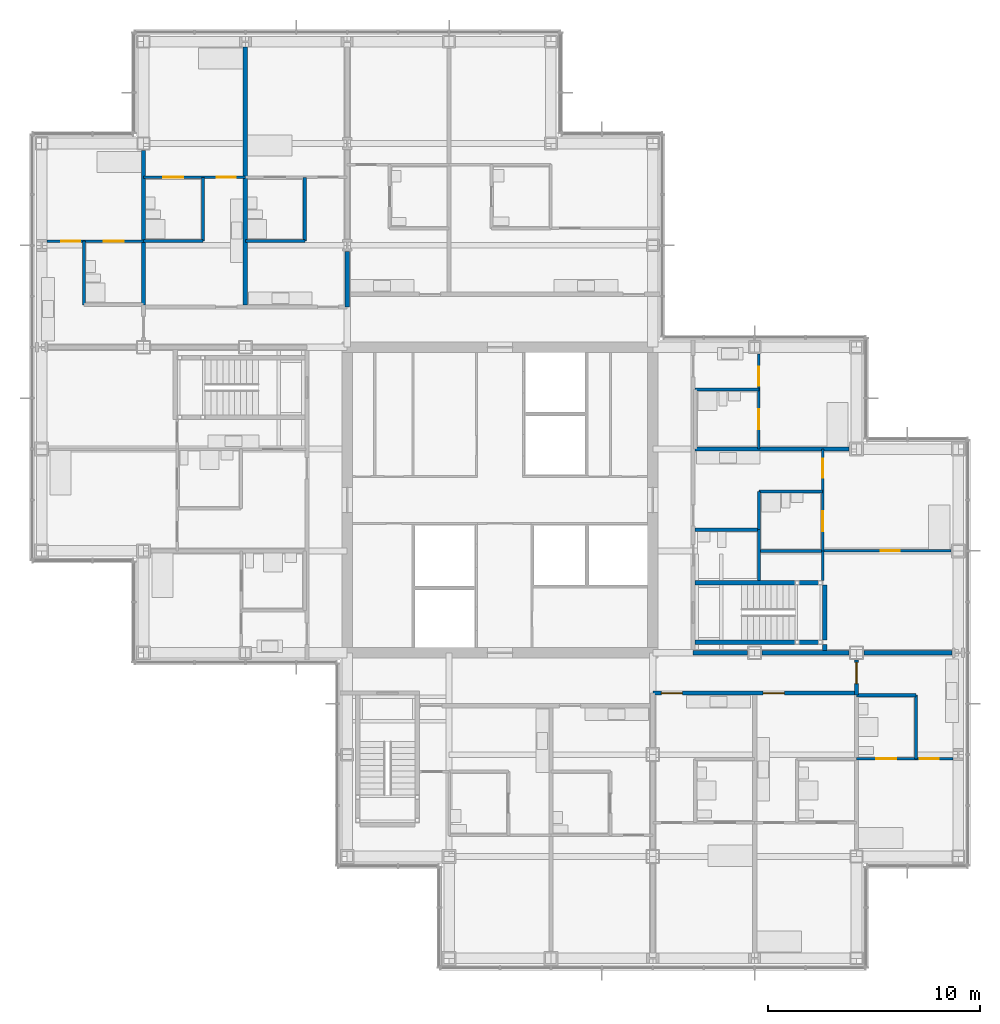
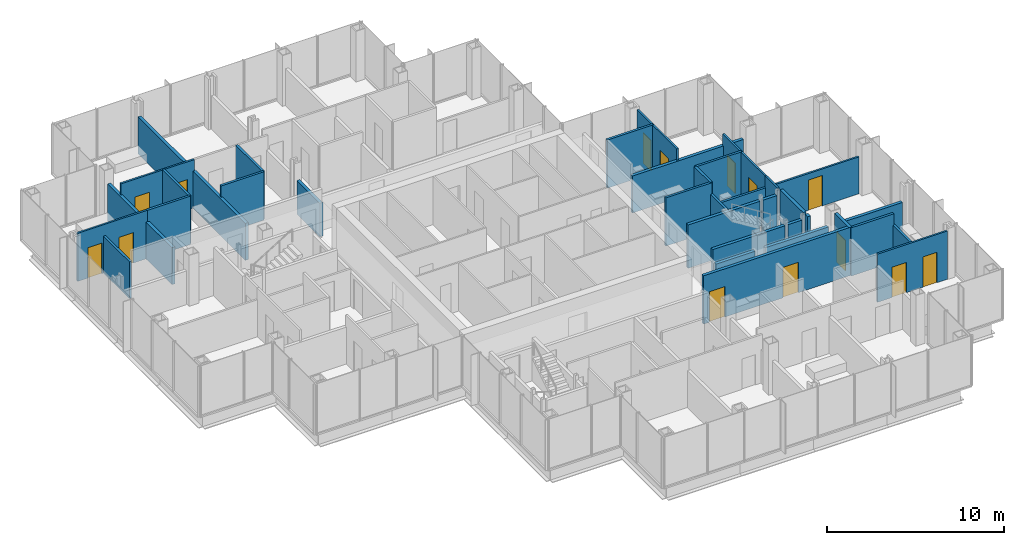
# One storey, part 16 of 20: 35 walls, 14 doors, 14 openings.
"""IFC4 building model written with IfcOpenShell, lengths in metres."""

from ifc_helpers import new_model, si_unit, direction, frame, frame_2d, origin, place, context, subcontext, project, spatial, rectangle, extrude, material, layer, layer_set, type_object, element, fill, save


model = new_model("IFC4")

# Units and contexts
model_context = context("Model", 3, precision=1e-05, world=origin(), true_north=direction((0.0, 1.0)))
body_context = subcontext(model_context, "Body", "Model", "MODEL_VIEW")
ifc_project = project(units=[si_unit("LENGTHUNIT", "METRE"), si_unit("AREAUNIT", "SQUARE_METRE"), si_unit("VOLUMEUNIT", "CUBIC_METRE"), si_unit("PLANEANGLEUNIT", "RADIAN"), si_unit("MASSUNIT", "GRAM", prefix="KILO")], contexts=[model_context])

# Site, building, storey
site_placement = place(None, origin())
site = spatial("IfcSite", under=ifc_project, at=site_placement, CompositionType="ELEMENT")
building_placement = place(site_placement, origin())
building = spatial("IfcBuilding", under=site, at=building_placement, Name="Kvirike Care Tower", CompositionType="ELEMENT")
storey_placement = place(building_placement, frame((0.0, 0.0, 105.0)))
storey = spatial("IfcBuildingStorey", under=building, at=storey_placement, Name="L28", CompositionType="ELEMENT", Elevation=105.0)

# Walls
ifc_material_1 = material(Name="Moisture-resistant board partition", Category="gypsum")
ifc_layer_1 = layer(ifc_material_1, 0.14990234375)
ifc_layer_set_1 = layer_set([ifc_layer_1], Name="BATHROOM WALL 150")
wall_type_1 = type_object("IfcWallType", Name="BATHROOM WALL 150", PredefinedType="PARTITIONING", material=ifc_layer_set_1)
wall_1_placement = place(storey_placement, frame((12.39990234375, 51.199951171875, 0.0), z_axis=(0.0, 0.0, 1.0), x_axis=(0.0, -1.0, 0.0)))
element("IfcWall", 1, at=wall_1_placement, inside=storey, type_object=wall_type_1, Name="Bathroom Wall 150 L28", PredefinedType="PARTITIONING", context=body_context, shape_type="SweptSolid", body=[
    extrude(rectangle(XDim=3.0, YDim=0.14990234375, at=frame_2d((1.5, 0.0))), origin(), (0.0, 0.0, 1.0), 3.330078125),
])
wall_2_placement = place(storey_placement, frame((12.39990234375, 48.199951171875, 0.0), z_axis=(0.0, 0.0, 1.0), x_axis=(-1.0, 0.0, 0.0)))
element("IfcWall", 2, at=wall_2_placement, inside=storey, type_object=wall_type_1, Name="Bathroom Wall 150 L28", PredefinedType="PARTITIONING", context=body_context, shape_type="SweptSolid", body=[
    extrude(rectangle(XDim=2.7998046875, YDim=0.14990234375, at=frame_2d((1.39990234375, 0.0))), origin(), (0.0, 0.0, 1.0), 3.330078125),
])
wall_3_placement = place(storey_placement, frame((7.60009765625, 51.199951171875, 0.0), z_axis=(0.0, 0.0, 1.0), x_axis=(0.0, -1.0, 0.0)))
element("IfcWall", 3, at=wall_3_placement, inside=storey, type_object=wall_type_1, Name="Bathroom Wall 150 L28", PredefinedType="PARTITIONING", context=body_context, shape_type="SweptSolid", body=[
    extrude(rectangle(XDim=3.0, YDim=0.14990234375, at=frame_2d((1.5, 0.0))), origin(), (0.0, 0.0, 1.0), 3.330078125),
])
wall_4_placement = place(storey_placement, frame((7.60009765625, 48.199951171875, 0.0), z_axis=(0.0, 0.0, 1.0), x_axis=(-1.0, 0.0, 0.0)))
element("IfcWall", 4, at=wall_4_placement, inside=storey, type_object=wall_type_1, Name="Bathroom Wall 150 L28", PredefinedType="PARTITIONING", context=body_context, shape_type="SweptSolid", body=[
    extrude(rectangle(XDim=2.800048828125, YDim=0.14990234375, at=frame_2d((1.39990234375, 0.0))), origin(), (0.0, 0.0, 1.0), 3.330078125),
])
for number, where, z_axis, x_axis, name in (
    (5, (2.0, 48.199951171875, 0.0), (0.0, 0.0, 1.0), (0.0, -1.0, 0.0), "Bathroom Wall 150 L28"),
    (6, (41.199951171875, 23.800048828125, 0.0), (0.0, 0.0, 1.0), (0.0, 1.0, 0.0), "Bathroom Wall 150 L28"),
):
    element("IfcWall", number, at=place(storey_placement, frame(where, z_axis=z_axis, x_axis=x_axis)), inside=storey, type_object=wall_type_1, Name=name, PredefinedType="PARTITIONING", context=body_context, shape_type="SweptSolid", body=[
        extrude(rectangle(XDim=3.0, YDim=0.14990234375, at=frame_2d((1.5, 0.0))), origin(), (0.0, 0.0, 1.0), 2.550048828125),
    ])
wall_5_placement = place(storey_placement, frame((38.39990234375, 26.800048828125, 0.0), z_axis=(0.0, 0.0, 1.0), x_axis=(1.0, 0.0, 0.0)))
element("IfcWall", 7, at=wall_5_placement, inside=storey, type_object=wall_type_1, Name="Bathroom Wall 150 L28", PredefinedType="PARTITIONING", context=body_context, shape_type="SweptSolid", body=[
    extrude(rectangle(XDim=2.800048828125, YDim=0.14990234375, at=frame_2d((1.39990234375, 0.0))), origin(), (0.0, 0.0, 1.0), 3.330078125),
])
wall_6_placement = place(storey_placement, frame((33.800048828125, 32.199951171875, 0.0), z_axis=(0.0, 0.0, 1.0), x_axis=(0.0, 1.0, 0.0)))
element("IfcWall", 8, at=wall_6_placement, inside=storey, type_object=wall_type_1, Name="Bathroom Wall 150 L28", PredefinedType="PARTITIONING", context=body_context, shape_type="SweptSolid", body=[
    extrude(rectangle(XDim=2.400146484375, YDim=0.14990234375, at=frame_2d((1.2001953125, 0.0))), origin(), (0.0, 0.0, 1.0), 2.550048828125),
])
for number, where, z_axis, x_axis, name in (
    (9, (33.800048828125, 34.60009765625, 0.0), (0.0, 0.0, 1.0), (-1.0, 0.0, 0.0), "Bathroom Wall 150 L28"),
    (10, (36.800048828125, 36.39990234375, 0.0), (0.0, 0.0, 1.0), (-1.0, 0.0, 0.0), "Bathroom Wall 150 L28"),
):
    element("IfcWall", number, at=place(storey_placement, frame(where, z_axis=z_axis, x_axis=x_axis)), inside=storey, type_object=wall_type_1, Name=name, PredefinedType="PARTITIONING", context=body_context, shape_type="SweptSolid", body=[
        extrude(rectangle(XDim=3.0, YDim=0.14990234375, at=frame_2d((1.5, 0.0))), origin(), (0.0, 0.0, 1.0), 3.330078125),
    ])
wall_7_placement = place(storey_placement, frame((33.800048828125, 34.60009765625, 0.0), z_axis=(0.0, 0.0, 1.0), x_axis=(0.0, 1.0, 0.0)))
element("IfcWall", 11, at=wall_7_placement, inside=storey, type_object=wall_type_1, Name="Bathroom Wall 150 L28", PredefinedType="PARTITIONING", context=body_context, shape_type="SweptSolid", body=[
    extrude(rectangle(XDim=1.7998046875, YDim=0.14990234375, at=frame_2d((0.89990234375, 0.0))), origin(), (0.0, 0.0, 1.0), 3.330078125),
])
wall_8_placement = place(storey_placement, frame((33.800048828125, 41.199951171875, 0.0), z_axis=(0.0, 0.0, 1.0), x_axis=(-1.0, 0.0, 0.0)))
element("IfcWall", 12, at=wall_8_placement, inside=storey, type_object=wall_type_1, Name="Bathroom Wall 150 L28", PredefinedType="PARTITIONING", context=body_context, shape_type="SweptSolid", body=[
    extrude(rectangle(XDim=3.0, YDim=0.14990234375, at=frame_2d((1.5, 0.0))), origin(), (0.0, 0.0, 1.0), 3.330078125),
])
wall_9_placement = place(storey_placement, frame((36.739990234375, 33.60009765625, 0.0), z_axis=(0.0, 0.0, 1.0), x_axis=(-1.0, 0.0, 0.0)))
element("IfcWall", 13, at=wall_9_placement, inside=storey, type_object=wall_type_1, Name="Bathroom Wall 150 L28", PredefinedType="PARTITIONING", context=body_context, shape_type="SweptSolid", body=[
    extrude(rectangle(XDim=2.864990234375, YDim=0.14990234375, at=frame_2d((1.4326171875, 0.0))), origin(), (0.0, 0.0, 1.0), 2.550048828125),
])

# Wall, openings, doors
ifc_material_2 = material(Name="Plasterboard corridor wall", Category="gypsum")
ifc_layer_2 = layer(ifc_material_2, 0.199951171875)
ifc_layer_set_2 = layer_set([ifc_layer_2], Name="CORRIDOR WALL 200")
wall_type_2 = type_object("IfcWallType", Name="CORRIDOR WALL 200", PredefinedType="PARTITIONING", material=ifc_layer_set_2)
wall_10_placement = place(storey_placement, frame((28.800048828125, 26.89990234375, 0.0), z_axis=(0.0, 0.0, 1.0), x_axis=(1.0, 0.0, 0.0)))
wall_10 = element("IfcWall", 14, at=wall_10_placement, inside=storey, type_object=wall_type_2, Name="Corridor Wall 200 L28", PredefinedType="PARTITIONING", context=body_context, shape_type="SweptSolid", body=[
    extrude(rectangle(XDim=9.599853515625, YDim=0.199951171875, at=frame_2d((4.7998046875, 0.0))), origin(), (0.0, 0.0, 1.0), 3.330078125),
])
opening_1_placement = place(wall_10_placement, frame((0.39990234375, 0.0, 0.0)))
opening_1 = element("IfcOpeningElement", 15, at=opening_1_placement, cuts=wall_10, Name="Opening 28-038", PredefinedType="OPENING", context=body_context, shape_type="SweptSolid", body=[
    extrude(rectangle(XDim=1.0, YDim=2.10009765625, at=frame_2d((0.5, 1.050048828125))), frame((0.0, 0.110595703125, 0.0), z_axis=(0.0, -1.0, 0.0), x_axis=(1.0, 0.0, 0.0)), (0.0, 0.0, 1.0), 0.220947265625),
])
opening_2_placement = place(wall_10_placement, frame((5.199951171875, 0.0, 0.0)))
opening_2 = element("IfcOpeningElement", 16, at=opening_2_placement, cuts=wall_10, Name="Opening 28-039", PredefinedType="OPENING", context=body_context, shape_type="SweptSolid", body=[
    extrude(rectangle(XDim=1.0, YDim=2.10009765625, at=frame_2d((0.5, 1.050048828125))), frame((0.0, 0.110595703125, 0.0), z_axis=(0.0, -1.0, 0.0), x_axis=(1.0, 0.0, 0.0)), (0.0, 0.0, 1.0), 0.220947265625),
])
ifc_material_3 = material(Name="Timber door set", Category="wood")
door_type_1 = type_object("IfcDoorType", Name="FLAT ENTRANCE DOOR 1000", OperationType="SINGLE_SWING_LEFT", PredefinedType="DOOR", material=ifc_material_3)
door_1_placement = place(opening_1_placement, frame((1.0, 0.0, 0.0), z_axis=(0.0, 0.0, 1.0), x_axis=(-1.0, 0.0, 0.0)))
door_1 = element("IfcDoor", 17, at=door_1_placement, inside=storey, type_object=door_type_1, Name="Assisted living suite entrance", OperationType="SINGLE_SWING_RIGHT", OverallHeight=2.10009765625, OverallWidth=1.0, PredefinedType="DOOR", context=body_context, shape_type="SweptSolid", body=[
    extrude(rectangle(XDim=1.0, YDim=2.10009765625, at=frame_2d((0.5, 1.050048828125))), frame((0.0, 0.02685546875, 0.0), z_axis=(0.0, -1.0, 0.0), x_axis=(1.0, 0.0, 0.0)), (0.0, 0.0, 1.0), 0.053955078125),
])
fill(opening_1, door_1)
door_2_placement = place(opening_2_placement, frame((1.0, 0.0, 0.0), z_axis=(0.0, 0.0, 1.0), x_axis=(-1.0, 0.0, 0.0)))
door_2 = element("IfcDoor", 18, at=door_2_placement, inside=storey, type_object=door_type_1, Name="Assisted living suite entrance", OperationType="SINGLE_SWING_LEFT", OverallHeight=2.10009765625, OverallWidth=1.0, PredefinedType="DOOR", context=body_context, shape_type="SweptSolid", body=[
    extrude(rectangle(XDim=1.0, YDim=2.10009765625, at=frame_2d((0.5, 1.050048828125))), frame((0.0, 0.02685546875, 0.0), z_axis=(0.0, -1.0, 0.0), x_axis=(1.0, 0.0, 0.0)), (0.0, 0.0, 1.0), 0.053955078125),
])
fill(opening_2, door_2)

# Wall, opening, door
wall_11_placement = place(storey_placement, frame((38.39990234375, 26.800048828125, 0.0), z_axis=(0.0, 0.0, 1.0), x_axis=(0.0, 1.0, 0.0)))
wall_11 = element("IfcWall", 19, at=wall_11_placement, inside=storey, type_object=wall_type_2, Name="Corridor Wall 200 L28", PredefinedType="PARTITIONING", context=body_context, shape_type="SweptSolid", body=[
    extrude(rectangle(XDim=1.655029296875, YDim=0.199951171875, at=frame_2d((0.82763671875, 0.0))), origin(), (0.0, 0.0, 1.0), 3.330078125),
])
opening_3_placement = place(wall_11_placement, frame((0.550048828125, 0.0, 0.0)))
opening_3 = element("IfcOpeningElement", 20, at=opening_3_placement, cuts=wall_11, Name="Opening 28-040", PredefinedType="OPENING", context=body_context, shape_type="SweptSolid", body=[
    extrude(rectangle(XDim=1.0, YDim=2.10009765625, at=frame_2d((0.5, 1.050048828125))), frame((0.0, 0.110595703125, 0.0), z_axis=(0.0, -1.0, 0.0), x_axis=(1.0, 0.0, 0.0)), (0.0, 0.0, 1.0), 0.220947265625),
])
door_3_placement = place(opening_3_placement, frame((1.0, 0.0, 0.0), z_axis=(0.0, 0.0, 1.0), x_axis=(-1.0, 0.0, 0.0)))
door_3 = element("IfcDoor", 21, at=door_3_placement, inside=storey, type_object=door_type_1, Name="Assisted living suite entrance", OperationType="SINGLE_SWING_RIGHT", OverallHeight=2.10009765625, OverallWidth=1.0, PredefinedType="DOOR", context=body_context, shape_type="SweptSolid", body=[
    extrude(rectangle(XDim=1.0, YDim=2.10009765625, at=frame_2d((0.5, 1.050048828125))), frame((0.0, 0.02685546875, 0.0), z_axis=(0.0, -1.0, 0.0), x_axis=(1.0, 0.0, 0.0)), (0.0, 0.0, 1.0), 0.053955078125),
])
fill(opening_3, door_3)

# Wall, openings, doors
ifc_material_4 = material(Name="Plasterboard partition", Category="gypsum")
ifc_layer_3 = layer(ifc_material_4, 0.1201171875)
ifc_layer_set_3 = layer_set([ifc_layer_3], Name="PARTITION 120")
wall_type_3 = type_object("IfcWallType", Name="PARTITION 120", PredefinedType="PARTITIONING", material=ifc_layer_set_3)
wall_12_placement = place(storey_placement, frame((9.60009765625, 51.199951171875, 0.0), z_axis=(0.0, 0.0, 1.0), x_axis=(-1.0, 0.0, 0.0)))
wall_12 = element("IfcWall", 22, at=wall_12_placement, inside=storey, type_object=wall_type_3, Name="Partition 120 L28", PredefinedType="PARTITIONING", context=body_context, shape_type="SweptSolid", body=[
    extrude(rectangle(XDim=4.800048828125, YDim=0.1201171875, at=frame_2d((2.39990234375, 0.0))), origin(), (0.0, 0.0, 1.0), 3.330078125),
])
opening_4_placement = place(wall_12_placement, frame((0.449951171875, 0.0, 0.0)))
opening_4 = element("IfcOpeningElement", 23, at=opening_4_placement, cuts=wall_12, Name="Opening 28-012", PredefinedType="OPENING", context=body_context, shape_type="SweptSolid", body=[
    extrude(rectangle(XDim=0.89990234375, YDim=2.10009765625, at=frame_2d((0.449951171875, 1.050048828125))), frame((0.0, 0.070556640625, 0.0), z_axis=(0.0, -1.0, 0.0), x_axis=(1.0, 0.0, 0.0)), (0.0, 0.0, 1.0), 0.14111328125),
])
opening_5_placement = place(wall_12_placement, frame((2.925048828125, 0.0, 0.0)))
opening_5 = element("IfcOpeningElement", 24, at=opening_5_placement, cuts=wall_12, Name="Opening 28-013", PredefinedType="OPENING", context=body_context, shape_type="SweptSolid", body=[
    extrude(rectangle(XDim=0.949951171875, YDim=2.10009765625, at=frame_2d((0.47509765625, 1.050048828125))), frame((0.0, 0.070556640625, 0.0), z_axis=(0.0, -1.0, 0.0), x_axis=(1.0, 0.0, 0.0)), (0.0, 0.0, 1.0), 0.14111328125),
])
ifc_material_5 = material(Name="Timber door set", Category="wood")
door_type_2 = type_object("IfcDoorType", Name="EN-SUITE SLIDING DOOR 950", OperationType="SLIDING_TO_LEFT", PredefinedType="DOOR", material=ifc_material_5)
door_4_placement = place(opening_5_placement, origin())
door_4 = element("IfcDoor", 25, at=door_4_placement, inside=storey, type_object=door_type_2, Name="En-suite door", OperationType="SLIDING_TO_RIGHT", OverallHeight=2.10009765625, OverallWidth=0.949951171875, PredefinedType="DOOR", context=body_context, shape_type="SweptSolid", body=[
    extrude(rectangle(XDim=0.949951171875, YDim=2.10009765625, at=frame_2d((0.47509765625, 1.050048828125))), frame((0.0, 0.02197265625, 0.0), z_axis=(0.0, -1.0, 0.0), x_axis=(1.0, 0.0, 0.0)), (0.0, 0.0, 1.0), 0.0439453125),
])
fill(opening_5, door_4)
ifc_material_6 = material(Name="Timber door set", Category="wood")
door_type_3 = type_object("IfcDoorType", Name="INTERNAL DOOR 900", OperationType="SINGLE_SWING_LEFT", PredefinedType="DOOR", material=ifc_material_6)
door_5_placement = place(opening_4_placement, origin())
door_5 = element("IfcDoor", 26, at=door_5_placement, inside=storey, type_object=door_type_3, Name="Assisted living suite door", OperationType="SINGLE_SWING_RIGHT", OverallHeight=2.10009765625, OverallWidth=0.89990234375, PredefinedType="DOOR", context=body_context, shape_type="SweptSolid", body=[
    extrude(rectangle(XDim=0.89990234375, YDim=2.10009765625, at=frame_2d((0.449951171875, 1.050048828125))), frame((0.0, 0.02197265625, 0.0), z_axis=(0.0, -1.0, 0.0), x_axis=(1.0, 0.0, 0.0)), (0.0, 0.0, 1.0), 0.0439453125),
])
fill(opening_4, door_5)

wall_13_placement = place(storey_placement, frame((4.800048828125, 48.199951171875, 0.0), z_axis=(0.0, 0.0, 1.0), x_axis=(-1.0, 0.0, 0.0)))
wall_13 = element("IfcWall", 27, at=wall_13_placement, inside=storey, type_object=wall_type_3, Name="Partition 120 L28", PredefinedType="PARTITIONING", context=body_context, shape_type="SweptSolid", body=[
    extrude(rectangle(XDim=4.552978515625, YDim=0.1201171875, at=frame_2d((2.2763671875, 0.0))), origin(), (0.0, 0.0, 1.0), 3.330078125),
])
opening_6_placement = place(wall_13_placement, frame((2.97509765625, 0.0, 0.0)))
opening_6 = element("IfcOpeningElement", 28, at=opening_6_placement, cuts=wall_13, Name="Opening 28-014", PredefinedType="OPENING", context=body_context, shape_type="SweptSolid", body=[
    extrude(rectangle(XDim=0.89990234375, YDim=2.10009765625, at=frame_2d((0.449951171875, 1.050048828125))), frame((0.0, 0.070556640625, 0.0), z_axis=(0.0, -1.0, 0.0), x_axis=(1.0, 0.0, 0.0)), (0.0, 0.0, 1.0), 0.14111328125),
])
opening_7_placement = place(wall_13_placement, frame((0.925048828125, 0.0, 0.0)))
opening_7 = element("IfcOpeningElement", 29, at=opening_7_placement, cuts=wall_13, Name="Opening 28-015", PredefinedType="OPENING", context=body_context, shape_type="SweptSolid", body=[
    extrude(rectangle(XDim=0.949951171875, YDim=2.10009765625, at=frame_2d((0.47509765625, 1.050048828125))), frame((0.0, 0.070556640625, 0.0), z_axis=(0.0, -1.0, 0.0), x_axis=(1.0, 0.0, 0.0)), (0.0, 0.0, 1.0), 0.14111328125),
])
door_6_placement = place(opening_7_placement, origin())
door_6 = element("IfcDoor", 30, at=door_6_placement, inside=storey, type_object=door_type_2, Name="En-suite door", OperationType="SLIDING_TO_RIGHT", OverallHeight=2.10009765625, OverallWidth=0.949951171875, PredefinedType="DOOR", context=body_context, shape_type="SweptSolid", body=[
    extrude(rectangle(XDim=0.949951171875, YDim=2.10009765625, at=frame_2d((0.47509765625, 1.050048828125))), frame((0.0, 0.02197265625, 0.0), z_axis=(0.0, -1.0, 0.0), x_axis=(1.0, 0.0, 0.0)), (0.0, 0.0, 1.0), 0.0439453125),
])
fill(opening_7, door_6)
door_7_placement = place(opening_6_placement, origin())
door_7 = element("IfcDoor", 31, at=door_7_placement, inside=storey, type_object=door_type_3, Name="Assisted living suite door", OperationType="SINGLE_SWING_RIGHT", OverallHeight=2.10009765625, OverallWidth=0.89990234375, PredefinedType="DOOR", context=body_context, shape_type="SweptSolid", body=[
    extrude(rectangle(XDim=0.89990234375, YDim=2.10009765625, at=frame_2d((0.449951171875, 1.050048828125))), frame((0.0, 0.02197265625, 0.0), z_axis=(0.0, -1.0, 0.0), x_axis=(1.0, 0.0, 0.0)), (0.0, 0.0, 1.0), 0.0439453125),
])
fill(opening_6, door_7)

wall_14_placement = place(storey_placement, frame((38.39990234375, 23.800048828125, 0.0), z_axis=(0.0, 0.0, 1.0), x_axis=(1.0, 0.0, 0.0)))
wall_14 = element("IfcWall", 32, at=wall_14_placement, inside=storey, type_object=wall_type_3, Name="Partition 120 L28", PredefinedType="PARTITIONING", context=body_context, shape_type="SweptSolid", body=[
    extrude(rectangle(XDim=4.552978515625, YDim=0.1201171875, at=frame_2d((2.2763671875, 0.0))), origin(), (0.0, 0.0, 1.0), 3.330078125),
])
opening_8_placement = place(wall_14_placement, frame((2.97509765625, 0.0, 0.0)))
opening_8 = element("IfcOpeningElement", 33, at=opening_8_placement, cuts=wall_14, Name="Opening 28-036", PredefinedType="OPENING", context=body_context, shape_type="SweptSolid", body=[
    extrude(rectangle(XDim=0.89990234375, YDim=2.10009765625, at=frame_2d((0.449951171875, 1.050048828125))), frame((0.0, 0.070556640625, 0.0), z_axis=(0.0, -1.0, 0.0), x_axis=(1.0, 0.0, 0.0)), (0.0, 0.0, 1.0), 0.14111328125),
])
opening_9_placement = place(wall_14_placement, frame((0.925048828125, 0.0, 0.0)))
opening_9 = element("IfcOpeningElement", 34, at=opening_9_placement, cuts=wall_14, Name="Opening 28-037", PredefinedType="OPENING", context=body_context, shape_type="SweptSolid", body=[
    extrude(rectangle(XDim=0.949951171875, YDim=2.10009765625, at=frame_2d((0.47509765625, 1.050048828125))), frame((0.0, 0.070556640625, 0.0), z_axis=(0.0, -1.0, 0.0), x_axis=(1.0, 0.0, 0.0)), (0.0, 0.0, 1.0), 0.14111328125),
])
door_8_placement = place(opening_9_placement, origin())
door_8 = element("IfcDoor", 35, at=door_8_placement, inside=storey, type_object=door_type_2, Name="En-suite door", OperationType="SLIDING_TO_RIGHT", OverallHeight=2.10009765625, OverallWidth=0.949951171875, PredefinedType="DOOR", context=body_context, shape_type="SweptSolid", body=[
    extrude(rectangle(XDim=0.949951171875, YDim=2.10009765625, at=frame_2d((0.47509765625, 1.050048828125))), frame((0.0, 0.02197265625, 0.0), z_axis=(0.0, -1.0, 0.0), x_axis=(1.0, 0.0, 0.0)), (0.0, 0.0, 1.0), 0.0439453125),
])
fill(opening_9, door_8)
door_9_placement = place(opening_8_placement, origin())
door_9 = element("IfcDoor", 36, at=door_9_placement, inside=storey, type_object=door_type_3, Name="Assisted living suite door", OperationType="SINGLE_SWING_RIGHT", OverallHeight=2.10009765625, OverallWidth=0.89990234375, PredefinedType="DOOR", context=body_context, shape_type="SweptSolid", body=[
    extrude(rectangle(XDim=0.89990234375, YDim=2.10009765625, at=frame_2d((0.449951171875, 1.050048828125))), frame((0.0, 0.02197265625, 0.0), z_axis=(0.0, -1.0, 0.0), x_axis=(1.0, 0.0, 0.0)), (0.0, 0.0, 1.0), 0.0439453125),
])
fill(opening_8, door_9)

# Wall
wall_15_placement = place(storey_placement, frame((36.800048828125, 32.199951171875, 0.0), z_axis=(0.0, 0.0, 1.0), x_axis=(0.0, 1.0, 0.0)))
element("IfcWall", 37, at=wall_15_placement, inside=storey, type_object=wall_type_3, Name="Partition 120 L28", PredefinedType="PARTITIONING", context=body_context, shape_type="SweptSolid", body=[
    extrude(rectangle(XDim=1.400146484375, YDim=0.1201171875, at=frame_2d((0.7001953125, 0.0))), origin(), (0.0, 0.0, 1.0), 3.330078125),
])

# Wall, openings, doors
wall_16_placement = place(storey_placement, frame((36.800048828125, 33.60009765625, 0.0), z_axis=(0.0, 0.0, 1.0), x_axis=(0.0, 1.0, 0.0)))
wall_16 = element("IfcWall", 38, at=wall_16_placement, inside=storey, type_object=wall_type_3, Name="Partition 120 L28", PredefinedType="PARTITIONING", context=body_context, shape_type="SweptSolid", body=[
    extrude(rectangle(XDim=4.7998046875, YDim=0.1201171875, at=frame_2d((2.39990234375, 0.0))), origin(), (0.0, 0.0, 1.0), 3.330078125),
])
opening_10_placement = place(wall_16_placement, frame((3.449951171875, 0.0, 0.0)))
opening_10 = element("IfcOpeningElement", 39, at=opening_10_placement, cuts=wall_16, Name="Opening 28-041", PredefinedType="OPENING", context=body_context, shape_type="SweptSolid", body=[
    extrude(rectangle(XDim=0.89990234375, YDim=2.10009765625, at=frame_2d((0.449951171875, 1.050048828125))), frame((0.0, 0.070556640625, 0.0), z_axis=(0.0, -1.0, 0.0), x_axis=(1.0, 0.0, 0.0)), (0.0, 0.0, 1.0), 0.14111328125),
])
opening_11_placement = place(wall_16_placement, frame((0.925048828125, 0.0, 0.0)))
opening_11 = element("IfcOpeningElement", 40, at=opening_11_placement, cuts=wall_16, Name="Opening 28-042", PredefinedType="OPENING", context=body_context, shape_type="SweptSolid", body=[
    extrude(rectangle(XDim=0.949951171875, YDim=2.10009765625, at=frame_2d((0.47509765625, 1.050048828125))), frame((0.0, 0.070556640625, 0.0), z_axis=(0.0, -1.0, 0.0), x_axis=(1.0, 0.0, 0.0)), (0.0, 0.0, 1.0), 0.14111328125),
])
door_10_placement = place(opening_11_placement, origin())
door_10 = element("IfcDoor", 41, at=door_10_placement, inside=storey, type_object=door_type_2, Name="En-suite door", OperationType="SLIDING_TO_LEFT", OverallHeight=2.10009765625, OverallWidth=0.949951171875, PredefinedType="DOOR", context=body_context, shape_type="SweptSolid", body=[
    extrude(rectangle(XDim=0.949951171875, YDim=2.10009765625, at=frame_2d((0.47509765625, 1.050048828125))), frame((0.0, 0.02197265625, 0.0), z_axis=(0.0, -1.0, 0.0), x_axis=(1.0, 0.0, 0.0)), (0.0, 0.0, 1.0), 0.0439453125),
])
fill(opening_11, door_10)
door_11_placement = place(opening_10_placement, origin())
door_11 = element("IfcDoor", 42, at=door_11_placement, inside=storey, type_object=door_type_3, Name="Assisted living suite door", OperationType="SINGLE_SWING_LEFT", OverallHeight=2.10009765625, OverallWidth=0.89990234375, PredefinedType="DOOR", context=body_context, shape_type="SweptSolid", body=[
    extrude(rectangle(XDim=0.89990234375, YDim=2.10009765625, at=frame_2d((0.449951171875, 1.050048828125))), frame((0.0, 0.02197265625, 0.0), z_axis=(0.0, -1.0, 0.0), x_axis=(1.0, 0.0, 0.0)), (0.0, 0.0, 1.0), 0.0439453125),
])
fill(opening_10, door_11)

# Wall, opening, door
wall_17_placement = place(storey_placement, frame((42.85498046875, 33.60009765625, 0.0), z_axis=(0.0, 0.0, 1.0), x_axis=(-1.0, 0.0, 0.0)))
wall_17 = element("IfcWall", 43, at=wall_17_placement, inside=storey, type_object=wall_type_3, Name="Partition 120 L28", PredefinedType="PARTITIONING", context=body_context, shape_type="SweptSolid", body=[
    extrude(rectangle(XDim=6.054931640625, YDim=0.1201171875, at=frame_2d((3.02734375, 0.0))), origin(), (0.0, 0.0, 1.0), 2.550048828125),
])
opening_12_placement = place(wall_17_placement, frame((2.405029296875, 0.0, 0.0)))
opening_12 = element("IfcOpeningElement", 44, at=opening_12_placement, cuts=wall_17, Name="Opening 28-043", PredefinedType="OPENING", context=body_context, shape_type="SweptSolid", body=[
    extrude(rectangle(XDim=0.89990234375, YDim=2.10009765625, at=frame_2d((0.449951171875, 1.050048828125))), frame((0.0, 0.070556640625, 0.0), z_axis=(0.0, -1.0, 0.0), x_axis=(1.0, 0.0, 0.0)), (0.0, 0.0, 1.0), 0.14111328125),
])
door_12_placement = place(opening_12_placement, origin())
door_12 = element("IfcDoor", 45, at=door_12_placement, inside=storey, type_object=door_type_3, Name="Connecting door", OperationType="SINGLE_SWING_LEFT", OverallHeight=2.10009765625, OverallWidth=0.89990234375, PredefinedType="DOOR", context=body_context, shape_type="SweptSolid", body=[
    extrude(rectangle(XDim=0.89990234375, YDim=2.10009765625, at=frame_2d((0.449951171875, 1.050048828125))), frame((0.0, 0.02197265625, 0.0), z_axis=(0.0, -1.0, 0.0), x_axis=(1.0, 0.0, 0.0)), (0.0, 0.0, 1.0), 0.0439453125),
])
fill(opening_12, door_12)

# Wall, openings, doors
wall_18_placement = place(storey_placement, frame((33.800048828125, 38.39990234375, 0.0), z_axis=(0.0, 0.0, 1.0), x_axis=(0.0, 1.0, 0.0)))
wall_18 = element("IfcWall", 46, at=wall_18_placement, inside=storey, type_object=wall_type_3, Name="Partition 120 L28", PredefinedType="PARTITIONING", context=body_context, shape_type="SweptSolid", body=[
    extrude(rectangle(XDim=4.47998046875, YDim=0.1201171875, at=frame_2d((2.239990234375, 0.0))), origin(), (0.0, 0.0, 1.0), 3.330078125),
])
opening_13_placement = place(wall_18_placement, frame((2.97509765625, 0.0, 0.0)))
opening_13 = element("IfcOpeningElement", 47, at=opening_13_placement, cuts=wall_18, Name="Opening 28-044", PredefinedType="OPENING", context=body_context, shape_type="SweptSolid", body=[
    extrude(rectangle(XDim=0.89990234375, YDim=2.10009765625, at=frame_2d((0.449951171875, 1.050048828125))), frame((0.0, 0.070556640625, 0.0), z_axis=(0.0, -1.0, 0.0), x_axis=(1.0, 0.0, 0.0)), (0.0, 0.0, 1.0), 0.14111328125),
])
opening_14_placement = place(wall_18_placement, frame((0.925048828125, 0.0, 0.0)))
opening_14 = element("IfcOpeningElement", 48, at=opening_14_placement, cuts=wall_18, Name="Opening 28-045", PredefinedType="OPENING", context=body_context, shape_type="SweptSolid", body=[
    extrude(rectangle(XDim=0.949951171875, YDim=2.10009765625, at=frame_2d((0.47509765625, 1.050048828125))), frame((0.0, 0.070556640625, 0.0), z_axis=(0.0, -1.0, 0.0), x_axis=(1.0, 0.0, 0.0)), (0.0, 0.0, 1.0), 0.14111328125),
])
door_13_placement = place(opening_14_placement, origin())
door_13 = element("IfcDoor", 49, at=door_13_placement, inside=storey, type_object=door_type_2, Name="En-suite door", OperationType="SLIDING_TO_RIGHT", OverallHeight=2.10009765625, OverallWidth=0.949951171875, PredefinedType="DOOR", context=body_context, shape_type="SweptSolid", body=[
    extrude(rectangle(XDim=0.949951171875, YDim=2.10009765625, at=frame_2d((0.47509765625, 1.050048828125))), frame((0.0, 0.02197265625, 0.0), z_axis=(0.0, -1.0, 0.0), x_axis=(1.0, 0.0, 0.0)), (0.0, 0.0, 1.0), 0.0439453125),
])
fill(opening_14, door_13)
door_14_placement = place(opening_13_placement, origin())
door_14 = element("IfcDoor", 50, at=door_14_placement, inside=storey, type_object=door_type_3, Name="Assisted living suite door", OperationType="SINGLE_SWING_RIGHT", OverallHeight=2.10009765625, OverallWidth=0.89990234375, PredefinedType="DOOR", context=body_context, shape_type="SweptSolid", body=[
    extrude(rectangle(XDim=0.89990234375, YDim=2.10009765625, at=frame_2d((0.449951171875, 1.050048828125))), frame((0.0, 0.02197265625, 0.0), z_axis=(0.0, -1.0, 0.0), x_axis=(1.0, 0.0, 0.0)), (0.0, 0.0, 1.0), 0.0439453125),
])
fill(opening_13, door_14)

# Walls
ifc_material_7 = material(Name="Plasterboard party wall", Category="gypsum")
ifc_layer_4 = layer(ifc_material_7, 0.199951171875)
ifc_layer_set_4 = layer_set([ifc_layer_4], Name="PARTY WALL 200")
wall_type_4 = type_object("IfcWallType", Name="PARTY WALL 200", PredefinedType="PARTITIONING", material=ifc_layer_set_4)
wall_19_placement = place(storey_placement, frame((9.60009765625, 57.35302734375, 0.0), z_axis=(0.0, 0.0, 1.0), x_axis=(0.0, -1.0, 0.0)))
element("IfcWall", 51, at=wall_19_placement, inside=storey, type_object=wall_type_4, Name="Party Wall 200 L28", PredefinedType="PARTITIONING", context=body_context, shape_type="SweptSolid", body=[
    extrude(rectangle(XDim=12.153076171875, YDim=0.199951171875, at=frame_2d((6.07666015625, 0.0))), origin(), (0.0, 0.0, 1.0), 2.550048828125),
])
wall_20_placement = place(storey_placement, frame((4.800048828125, 52.47998046875, 0.0), z_axis=(0.0, 0.0, 1.0), x_axis=(0.0, -1.0, 0.0)))
element("IfcWall", 52, at=wall_20_placement, inside=storey, type_object=wall_type_4, Name="Party Wall 200 L28", PredefinedType="PARTITIONING", context=body_context, shape_type="SweptSolid", body=[
    extrude(rectangle(XDim=7.280029296875, YDim=0.199951171875, at=frame_2d((3.64013671875, 0.0))), origin(), (0.0, 0.0, 1.0), 2.550048828125),
])
wall_21_placement = place(storey_placement, frame((38.054931640625, 38.39990234375, 0.0), z_axis=(0.0, 0.0, 1.0), x_axis=(-1.0, 0.0, 0.0)))
element("IfcWall", 53, at=wall_21_placement, inside=storey, type_object=wall_type_4, Name="Party Wall 200 L28", PredefinedType="PARTITIONING", context=body_context, shape_type="SweptSolid", body=[
    extrude(rectangle(XDim=7.2548828125, YDim=0.199951171875, at=frame_2d((3.62744140625, 0.0))), origin(), (0.0, 0.0, 1.0), 2.550048828125),
])
wall_22_placement = place(storey_placement, frame((14.39990234375, 45.10009765625, 0.0), z_axis=(0.0, 0.0, 1.0), x_axis=(0.0, 1.0, 0.0)))
element("IfcWall", 54, at=wall_22_placement, inside=storey, type_object=wall_type_4, Name="Party Wall 200 L28", PredefinedType="PARTITIONING", context=body_context, shape_type="SweptSolid", body=[
    extrude(rectangle(XDim=2.60498046875, YDim=0.199951171875, at=frame_2d((1.302490234375, 0.0))), origin(), (0.0, 0.0, 1.0), 2.320068359375),
])
wall_23_placement = place(storey_placement, frame((42.8955078125, 28.800048828125, 0.0), z_axis=(0.0, 0.0, 1.0), x_axis=(-1.0, 0.0, 0.0)))
element("IfcWall", 55, at=wall_23_placement, inside=storey, type_object=wall_type_4, Name="Party Wall 200 L28", PredefinedType="PARTITIONING", context=body_context, shape_type="SweptSolid", body=[
    extrude(rectangle(XDim=4.150390625, YDim=0.199951171875, at=frame_2d((2.0751953125, 0.0))), origin(), (0.0, 0.0, 1.0), 2.320068359375),
])
wall_24_placement = place(storey_placement, frame((38.054931640625, 28.800048828125, 0.0), z_axis=(0.0, 0.0, 1.0), x_axis=(-1.0, 0.0, 0.0)))
element("IfcWall", 56, at=wall_24_placement, inside=storey, type_object=wall_type_4, Name="Party Wall 200 L28", PredefinedType="PARTITIONING", context=body_context, shape_type="SweptSolid", body=[
    extrude(rectangle(XDim=4.10986328125, YDim=0.199951171875, at=frame_2d((2.054931640625, 0.0))), origin(), (0.0, 0.0, 1.0), 2.320068359375),
])
wall_25_placement = place(storey_placement, frame((33.2548828125, 28.800048828125, 0.0), z_axis=(0.0, 0.0, 1.0), x_axis=(-1.0, 0.0, 0.0)))
element("IfcWall", 57, at=wall_25_placement, inside=storey, type_object=wall_type_4, Name="Party Wall 200 L28", PredefinedType="PARTITIONING", context=body_context, shape_type="SweptSolid", body=[
    extrude(rectangle(XDim=2.554931640625, YDim=0.199951171875, at=frame_2d((1.27734375, 0.0))), origin(), (0.0, 0.0, 1.0), 2.320068359375),
])
ifc_material_8 = material(Name="Concrete C40/50", Category="concrete")
ifc_layer_5 = layer(ifc_material_8, 0.199951171875)
ifc_layer_set_5 = layer_set([ifc_layer_5], Name="STAIR WALL 200")
wall_type_5 = type_object("IfcWallType", Name="STAIR WALL 200", PredefinedType="SOLIDWALL", material=ifc_layer_set_5)
wall_26_placement = place(storey_placement, frame((36.60009765625, 29.300048828125, 0.0), z_axis=(0.0, 0.0, 1.0), x_axis=(-1.0, 0.0, 0.0)))
element("IfcWall", 58, at=wall_26_placement, inside=storey, type_object=wall_type_5, Name="Stair Wall 200 L28", PredefinedType="SOLIDWALL", context=body_context, shape_type="SweptSolid", body=[
    extrude(rectangle(XDim=0.900146484375, YDim=0.199951171875, at=frame_2d((0.4501953125, 0.0))), origin(), (0.0, 0.0, 1.0), 2.989990234375),
])
wall_27_placement = place(storey_placement, frame((35.5, 29.300048828125, 0.0), z_axis=(0.0, 0.0, 1.0), x_axis=(-1.0, 0.0, 0.0)))
element("IfcWall", 59, at=wall_27_placement, inside=storey, type_object=wall_type_5, Name="Stair Wall 200 L28", PredefinedType="SOLIDWALL", context=body_context, shape_type="SweptSolid", body=[
    extrude(rectangle(XDim=4.699951171875, YDim=0.199951171875, at=frame_2d((2.35009765625, 0.0))), origin(), (0.0, 0.0, 1.0), 2.989990234375),
])
wall_28_placement = place(storey_placement, frame((36.60009765625, 32.10009765625, 0.0), z_axis=(0.0, 0.0, 1.0), x_axis=(-1.0, 0.0, 0.0)))
element("IfcWall", 60, at=wall_28_placement, inside=storey, type_object=wall_type_5, Name="Stair Wall 200 L28", PredefinedType="SOLIDWALL", context=body_context, shape_type="SweptSolid", body=[
    extrude(rectangle(XDim=0.900146484375, YDim=0.199951171875, at=frame_2d((0.4501953125, 0.0))), origin(), (0.0, 0.0, 1.0), 2.989990234375),
])
wall_29_placement = place(storey_placement, frame((35.5, 32.10009765625, 0.0), z_axis=(0.0, 0.0, 1.0), x_axis=(-1.0, 0.0, 0.0)))
element("IfcWall", 61, at=wall_29_placement, inside=storey, type_object=wall_type_5, Name="Stair Wall 200 L28", PredefinedType="SOLIDWALL", context=body_context, shape_type="SweptSolid", body=[
    extrude(rectangle(XDim=4.699951171875, YDim=0.199951171875, at=frame_2d((2.35009765625, 0.0))), origin(), (0.0, 0.0, 1.0), 2.989990234375),
])
wall_30_placement = place(storey_placement, frame((36.89990234375, 28.89990234375, 0.0), z_axis=(0.0, 0.0, 1.0), x_axis=(0.0, 1.0, 0.0)))
element("IfcWall", 62, at=wall_30_placement, inside=storey, type_object=wall_type_5, Name="Stair Wall 200 L28", PredefinedType="SOLIDWALL", context=body_context, shape_type="SweptSolid", body=[
    extrude(rectangle(XDim=0.300048828125, YDim=0.199951171875, at=frame_2d((0.14990234375, 0.0))), origin(), (0.0, 0.0, 1.0), 3.330078125),
])
wall_31_placement = place(storey_placement, frame((36.89990234375, 29.39990234375, 0.0), z_axis=(0.0, 0.0, 1.0), x_axis=(0.0, 1.0, 0.0)))
element("IfcWall", 63, at=wall_31_placement, inside=storey, type_object=wall_type_5, Name="Stair Wall 200 L28", PredefinedType="SOLIDWALL", context=body_context, shape_type="SweptSolid", body=[
    extrude(rectangle(XDim=2.60009765625, YDim=0.199951171875, at=frame_2d((1.300048828125, 0.0))), origin(), (0.0, 0.0, 1.0), 3.330078125),
])

save(model, "model.ifc")
